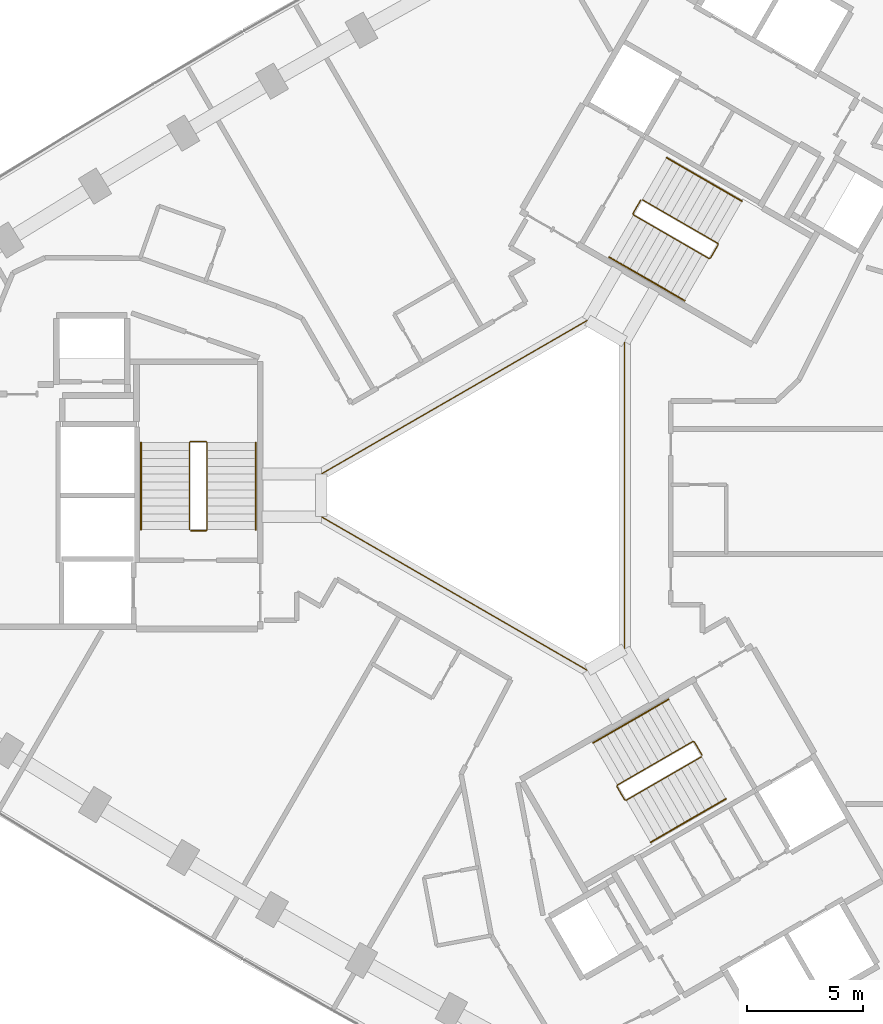
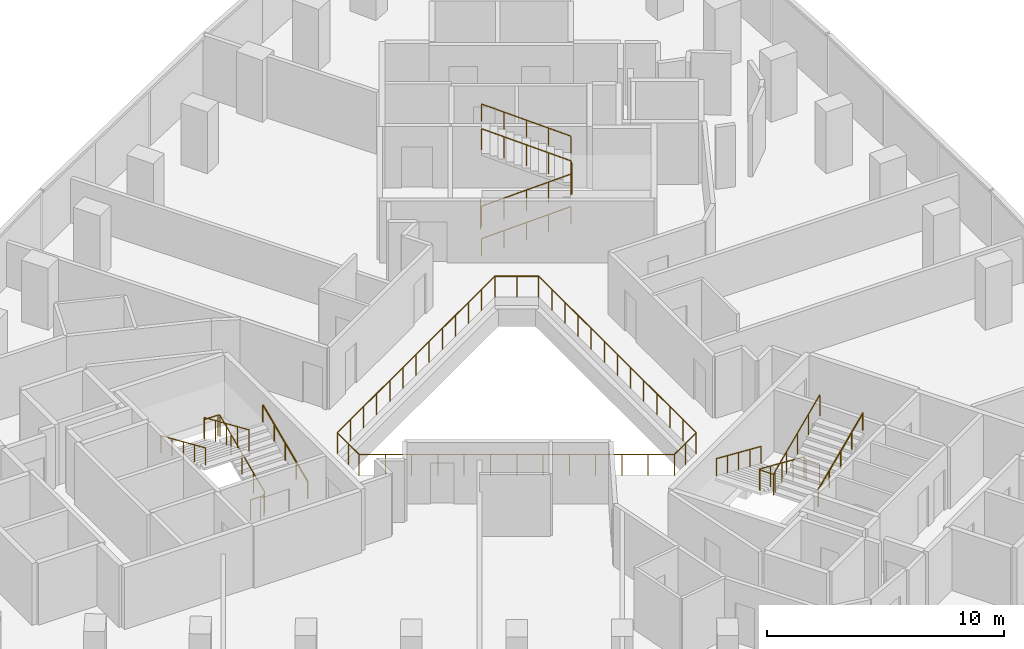
# One storey, part 12 of 12: 10 railings.
"""IFC4 building model written with IfcOpenShell, lengths in metres."""

from ifc_helpers import new_model, si_unit, direction, frame, origin, origin_2d, place, context, subcontext, project, spatial, circle, extrude, material, type_object, element, save


model = new_model("IFC4")

# Units and contexts
model_context = context("Model", 3, precision=1e-05, world=origin(), true_north=direction((0.0, 1.0)))
body_context = subcontext(model_context, "Body", "Model", "MODEL_VIEW")
ifc_project = project(units=[si_unit("LENGTHUNIT", "METRE"), si_unit("AREAUNIT", "SQUARE_METRE"), si_unit("VOLUMEUNIT", "CUBIC_METRE"), si_unit("PLANEANGLEUNIT", "RADIAN"), si_unit("MASSUNIT", "GRAM", prefix="KILO")], contexts=[model_context])

# Site, building, storey
site_placement = place(None, origin())
site = spatial("IfcSite", under=ifc_project, at=site_placement, CompositionType="ELEMENT")
building_placement = place(site_placement, origin())
building = spatial("IfcBuilding", under=site, at=building_placement, Name="Tamra Quay Hotel Tower", CompositionType="ELEMENT")
storey_placement = place(building_placement, frame((0.0, 0.0, 93.800048828125)))
storey = spatial("IfcBuildingStorey", under=building, at=storey_placement, Name="L22", CompositionType="ELEMENT", Elevation=93.800048828125)

# Railings
ifc_material_1 = material(Name="Guard atrium edge 1100")
railing_type_1 = type_object("IfcRailingType", Name="Guard atrium edge 1100", PredefinedType="GUARDRAIL", material=ifc_material_1)
railing_1_placement = place(storey_placement, frame((4.89990234375, -6.639892578125, 0.0)))
element("IfcRailing", 1, at=railing_1_placement, inside=storey, type_object=railing_type_1, Name="G-A", PredefinedType="GUARDRAIL", context=body_context, shape_type="SweptSolid", body=[
    extrude(circle(Radius=0.02392578125, at=origin_2d()), frame((0.0, 0.0, 1.076171875), z_axis=(-0.866161379324, -0.499764409465, 0.0), x_axis=(0.499764409465, -0.866161379324, 0.0)), (0.0, 0.0, 1.0), 1.84716796875),
    extrude(circle(Radius=0.02392578125, at=origin_2d()), frame((-1.599853515625, -0.923095703125, 1.076171875), z_axis=(-0.866045362687, 0.499965428574, 0.0), x_axis=(-0.499965428574, -0.866045362687, 0.0)), (0.0, 0.0, 1.0), 13.27880859375),
    extrude(circle(Radius=0.02392578125, at=origin_2d()), frame((-13.099853515625, 5.7158203125, 1.076171875), z_axis=(0.0, 1.0, 0.0), x_axis=(-1.0, 0.0, 0.0)), (0.0, 0.0, 1.0), 1.84814453125),
    extrude(circle(Radius=0.02392578125, at=origin_2d()), frame((-13.099853515625, 7.56396484375, 1.076171875), z_axis=(0.866045362687, 0.499965428574, 0.0), x_axis=(-0.499965428574, 0.866045362687, 0.0)), (0.0, 0.0, 1.0), 13.27880859375),
    extrude(circle(Radius=0.02392578125, at=origin_2d()), frame((-1.599853515625, 14.202880859375, 1.076171875), z_axis=(0.866161379324, -0.499764409465, 0.0), x_axis=(0.499764409465, 0.866161379324, 0.0)), (0.0, 0.0, 1.0), 1.84716796875),
    extrude(circle(Radius=0.02392578125, at=origin_2d()), frame((0.0, 13.27978515625, 1.076171875), z_axis=(0.0, -1.0, 0.0), x_axis=(1.0, 0.0, 0.0)), (0.0, 0.0, 1.0), 13.27978515625),
    extrude(circle(Radius=0.02099609375, at=origin_2d()), origin(), (0.0, 0.0, 1.0), 1.052001953125),
    extrude(circle(Radius=0.02099609375, at=origin_2d()), frame((-0.7998046875, -0.46142578125, 0.0)), (0.0, 0.0, 1.0), 1.052001953125),
    extrude(circle(Radius=0.02099609375, at=origin_2d()), frame((-1.599853515625, -0.923095703125, 0.0)), (0.0, 0.0, 1.0), 1.052001953125),
    extrude(circle(Radius=0.02099609375, at=origin_2d()), frame((-2.55810546875, -0.369873046875, 0.0)), (0.0, 0.0, 1.0), 1.052001953125),
    extrude(circle(Radius=0.02099609375, at=origin_2d()), frame((-3.5166015625, 0.183349609375, 0.0)), (0.0, 0.0, 1.0), 1.052001953125),
    extrude(circle(Radius=0.02099609375, at=origin_2d()), frame((-4.474853515625, 0.736572265625, 0.0)), (0.0, 0.0, 1.0), 1.052001953125),
    extrude(circle(Radius=0.02099609375, at=origin_2d()), frame((-5.43310546875, 1.289794921875, 0.0)), (0.0, 0.0, 1.0), 1.052001953125),
    extrude(circle(Radius=0.02099609375, at=origin_2d()), frame((-6.3916015625, 1.843017578125, 0.0)), (0.0, 0.0, 1.0), 1.052001953125),
    extrude(circle(Radius=0.02099609375, at=origin_2d()), frame((-7.349853515625, 2.396484375, 0.0)), (0.0, 0.0, 1.0), 1.052001953125),
    extrude(circle(Radius=0.02099609375, at=origin_2d()), frame((-8.30810546875, 2.94970703125, 0.0)), (0.0, 0.0, 1.0), 1.052001953125),
    extrude(circle(Radius=0.02099609375, at=origin_2d()), frame((-9.2666015625, 3.5029296875, 0.0)), (0.0, 0.0, 1.0), 1.052001953125),
    extrude(circle(Radius=0.02099609375, at=origin_2d()), frame((-10.224853515625, 4.05615234375, 0.0)), (0.0, 0.0, 1.0), 1.052001953125),
    extrude(circle(Radius=0.02099609375, at=origin_2d()), frame((-11.18310546875, 4.609375, 0.0)), (0.0, 0.0, 1.0), 1.052001953125),
    extrude(circle(Radius=0.02099609375, at=origin_2d()), frame((-12.1416015625, 5.16259765625, 0.0)), (0.0, 0.0, 1.0), 1.052001953125),
    extrude(circle(Radius=0.02099609375, at=origin_2d()), frame((-13.099853515625, 5.7158203125, 0.0)), (0.0, 0.0, 1.0), 1.052001953125),
    extrude(circle(Radius=0.02099609375, at=origin_2d()), frame((-13.099853515625, 6.639892578125, 0.0)), (0.0, 0.0, 1.0), 1.052001953125),
    extrude(circle(Radius=0.02099609375, at=origin_2d()), frame((-13.099853515625, 7.56396484375, 0.0)), (0.0, 0.0, 1.0), 1.052001953125),
    extrude(circle(Radius=0.02099609375, at=origin_2d()), frame((-12.1416015625, 8.1171875, 0.0)), (0.0, 0.0, 1.0), 1.052001953125),
    extrude(circle(Radius=0.02099609375, at=origin_2d()), frame((-11.18310546875, 8.67041015625, 0.0)), (0.0, 0.0, 1.0), 1.052001953125),
    extrude(circle(Radius=0.02099609375, at=origin_2d()), frame((-10.224853515625, 9.2236328125, 0.0)), (0.0, 0.0, 1.0), 1.052001953125),
    extrude(circle(Radius=0.02099609375, at=origin_2d()), frame((-9.2666015625, 9.77685546875, 0.0)), (0.0, 0.0, 1.0), 1.052001953125),
    extrude(circle(Radius=0.02099609375, at=origin_2d()), frame((-8.30810546875, 10.330078125, 0.0)), (0.0, 0.0, 1.0), 1.052001953125),
    extrude(circle(Radius=0.02099609375, at=origin_2d()), frame((-7.349853515625, 10.88330078125, 0.0)), (0.0, 0.0, 1.0), 1.052001953125),
    extrude(circle(Radius=0.02099609375, at=origin_2d()), frame((-6.3916015625, 11.436767578125, 0.0)), (0.0, 0.0, 1.0), 1.052001953125),
    extrude(circle(Radius=0.02099609375, at=origin_2d()), frame((-5.43310546875, 11.989990234375, 0.0)), (0.0, 0.0, 1.0), 1.052001953125),
    extrude(circle(Radius=0.02099609375, at=origin_2d()), frame((-4.474853515625, 12.543212890625, 0.0)), (0.0, 0.0, 1.0), 1.052001953125),
    extrude(circle(Radius=0.02099609375, at=origin_2d()), frame((-3.5166015625, 13.096435546875, 0.0)), (0.0, 0.0, 1.0), 1.052001953125),
    extrude(circle(Radius=0.02099609375, at=origin_2d()), frame((-2.55810546875, 13.649658203125, 0.0)), (0.0, 0.0, 1.0), 1.052001953125),
    extrude(circle(Radius=0.02099609375, at=origin_2d()), frame((-1.599853515625, 14.202880859375, 0.0)), (0.0, 0.0, 1.0), 1.052001953125),
    extrude(circle(Radius=0.02099609375, at=origin_2d()), frame((-0.7998046875, 13.7412109375, 0.0)), (0.0, 0.0, 1.0), 1.052001953125),
    extrude(circle(Radius=0.02099609375, at=origin_2d()), frame((0.0, 13.27978515625, 0.0)), (0.0, 0.0, 1.0), 1.052001953125),
    extrude(circle(Radius=0.02099609375, at=origin_2d()), frame((0.0, 12.173095703125, 0.0)), (0.0, 0.0, 1.0), 1.052001953125),
    extrude(circle(Radius=0.02099609375, at=origin_2d()), frame((0.0, 11.06640625, 0.0)), (0.0, 0.0, 1.0), 1.052001953125),
    extrude(circle(Radius=0.02099609375, at=origin_2d()), frame((0.0, 9.9599609375, 0.0)), (0.0, 0.0, 1.0), 1.052001953125),
    extrude(circle(Radius=0.02099609375, at=origin_2d()), frame((0.0, 8.853271484375, 0.0)), (0.0, 0.0, 1.0), 1.052001953125),
    extrude(circle(Radius=0.02099609375, at=origin_2d()), frame((0.0, 7.74658203125, 0.0)), (0.0, 0.0, 1.0), 1.052001953125),
    extrude(circle(Radius=0.02099609375, at=origin_2d()), frame((0.0, 6.639892578125, 0.0)), (0.0, 0.0, 1.0), 1.052001953125),
    extrude(circle(Radius=0.02099609375, at=origin_2d()), frame((0.0, 5.533203125, 0.0)), (0.0, 0.0, 1.0), 1.052001953125),
    extrude(circle(Radius=0.02099609375, at=origin_2d()), frame((0.0, 4.426513671875, 0.0)), (0.0, 0.0, 1.0), 1.052001953125),
    extrude(circle(Radius=0.02099609375, at=origin_2d()), frame((0.0, 3.31982421875, 0.0)), (0.0, 0.0, 1.0), 1.052001953125),
    extrude(circle(Radius=0.02099609375, at=origin_2d()), frame((0.0, 2.21337890625, 0.0)), (0.0, 0.0, 1.0), 1.052001953125),
    extrude(circle(Radius=0.02099609375, at=origin_2d()), frame((0.0, 1.106689453125, 0.0)), (0.0, 0.0, 1.0), 1.052001953125),
])
ifc_material_2 = material(Name="Stair guard 1100")
railing_type_2 = type_object("IfcRailingType", Name="Stair guard 1100", PredefinedType="GUARDRAIL", material=ifc_material_2)
railing_2_placement = place(storey_placement, frame((-13.84130859375, -1.530029296875, 0.0)))
element("IfcRailing", 2, at=railing_2_placement, inside=storey, type_object=railing_type_2, Name="GR", PredefinedType="GUARDRAIL", context=body_context, shape_type="SweptSolid", body=[
    extrude(circle(Radius=0.02392578125, at=origin_2d()), frame((0.0, 0.0, 1.076171875), z_axis=(1.0, 0.0, 0.0), x_axis=(0.0, 1.0, 0.0)), (0.0, 0.0, 1.0), 0.658935546875),
    extrude(circle(Radius=0.02392578125, at=origin_2d()), frame((0.658935546875, 0.0, 1.076171875), z_axis=(0.301912943143, 0.301912943143, 0.904266083366), x_axis=(-0.707106781187, 0.707106781187, 0.0)), (0.0, 0.0, 1.0), 0.165771484375),
    extrude(circle(Radius=0.02392578125, at=origin_2d()), frame((0.708984375, 0.050048828125, 1.22607421875), z_axis=(0.0, 0.915773634228, 0.401694723457), x_axis=(-1.0, 0.0, 0.0)), (0.0, 0.0, 1.0), 4.10791015625),
    extrude(circle(Radius=0.02392578125, at=origin_2d()), frame((0.708984375, 3.81201171875, 2.8759765625), z_axis=(-0.708833529934, 0.705375805398, 0.0), x_axis=(-0.705375805398, -0.708833529934, 0.0)), (0.0, 0.0, 1.0), 0.070556640625),
    extrude(circle(Radius=0.02392578125, at=origin_2d()), frame((0.658935546875, 3.86181640625, 2.8759765625), z_axis=(-1.0, 0.0, 0.0), x_axis=(0.0, -1.0, 0.0)), (0.0, 0.0, 1.0), 0.658935546875),
    extrude(circle(Radius=0.02392578125, at=origin_2d()), frame((0.0, 3.86181640625, 2.8759765625), z_axis=(-0.302046947789, -0.300573548044, 0.904667443621), x_axis=(0.705375805398, -0.708833529934, 0.0)), (0.0, 0.0, 1.0), 0.165771484375),
    extrude(circle(Radius=0.02392578125, at=origin_2d()), frame((-0.050048828125, 3.81201171875, 3.02587890625), z_axis=(0.0, -0.915795495799, 0.401644880304), x_axis=(1.0, 0.0, 0.0)), (0.0, 0.0, 1.0), 4.10791015625),
    extrude(circle(Radius=0.02099609375, at=origin_2d()), origin(), (0.0, 0.0, 1.0), 1.052001953125),
    extrude(circle(Radius=0.02099609375, at=origin_2d()), frame((0.658935546875, 0.0, 0.0)), (0.0, 0.0, 1.0), 1.052001953125),
    extrude(circle(Radius=0.02099609375, at=origin_2d()), frame((0.708984375, 0.050048828125, 0.14990234375)), (0.0, 0.0, 1.0), 1.052001953125),
    extrude(circle(Radius=0.02099609375, at=origin_2d()), frame((0.708984375, 0.990478515625, 0.5625)), (0.0, 0.0, 1.0), 1.052001953125),
    extrude(circle(Radius=0.02099609375, at=origin_2d()), frame((0.708984375, 1.93115234375, 0.97509765625)), (0.0, 0.0, 1.0), 1.052001953125),
    extrude(circle(Radius=0.02099609375, at=origin_2d()), frame((0.708984375, 2.87158203125, 1.387451171875)), (0.0, 0.0, 1.0), 1.052001953125),
    extrude(circle(Radius=0.02099609375, at=origin_2d()), frame((0.708984375, 3.81201171875, 1.800048828125)), (0.0, 0.0, 1.0), 1.052001953125),
    extrude(circle(Radius=0.02099609375, at=origin_2d()), frame((0.658935546875, 3.86181640625, 1.800048828125)), (0.0, 0.0, 1.0), 1.052001953125),
    extrude(circle(Radius=0.02099609375, at=origin_2d()), frame((0.0, 3.86181640625, 1.800048828125)), (0.0, 0.0, 1.0), 1.052001953125),
    extrude(circle(Radius=0.02099609375, at=origin_2d()), frame((-0.050048828125, 3.81201171875, 1.949951171875)), (0.0, 0.0, 1.0), 1.052001953125),
    extrude(circle(Radius=0.02099609375, at=origin_2d()), frame((-0.050048828125, 2.87158203125, 2.3623046875)), (0.0, 0.0, 1.0), 1.052001953125),
    extrude(circle(Radius=0.02099609375, at=origin_2d()), frame((-0.050048828125, 1.93115234375, 2.77490234375)), (0.0, 0.0, 1.0), 1.052001953125),
    extrude(circle(Radius=0.02099609375, at=origin_2d()), frame((-0.050048828125, 0.990478515625, 3.1875)), (0.0, 0.0, 1.0), 1.052001953125),
    extrude(circle(Radius=0.02099609375, at=origin_2d()), frame((-0.050048828125, 0.050048828125, 3.599853515625)), (0.0, 0.0, 1.0), 1.052001953125),
])
railing_3_placement = place(storey_placement, frame((5.595458984375, 12.751953125, 0.0)))
element("IfcRailing", 3, at=railing_3_placement, inside=storey, type_object=railing_type_2, Name="GR", PredefinedType="GUARDRAIL", context=body_context, shape_type="SweptSolid", body=[
    extrude(circle(Radius=0.02392578125, at=origin_2d()), frame((0.0, 0.0, 1.076171875), z_axis=(-0.499765215335, -0.866160914346, 0.0), x_axis=(0.866160914346, -0.499765215335, 0.0)), (0.0, 0.0, 1.0), 0.658935546875),
    extrude(circle(Radius=0.02392578125, at=origin_2d()), frame((-0.329345703125, -0.57080078125, 1.076171875), z_axis=(0.110525977783, -0.411156637351, 0.904839338113), x_axis=(0.965715946433, 0.259601060869, 0.0)), (0.0, 0.0, 1.0), 0.165771484375),
    extrude(circle(Radius=0.02392578125, at=origin_2d()), frame((-0.31103515625, -0.638916015625, 1.22607421875), z_axis=(0.79305953016, -0.457922937641, 0.401700342053), x_axis=(0.500040788363, 0.866001853331, 0.0)), (0.0, 0.0, 1.0), 4.10791015625),
    extrude(circle(Radius=0.02392578125, at=origin_2d()), frame((2.94677734375, -2.52001953125, 2.8759765625), z_axis=(0.965948051503, 0.258736085224, 0.0), x_axis=(-0.258736085224, 0.965948051503, 0.0)), (0.0, 0.0, 1.0), 0.07080078125),
    extrude(circle(Radius=0.02392578125, at=origin_2d()), frame((3.01513671875, -2.501708984375, 2.8759765625), z_axis=(0.500043078269, 0.866000531106, 0.0), x_axis=(-0.866000531106, 0.500043078269, 0.0)), (0.0, 0.0, 1.0), 0.6591796875),
    extrude(circle(Radius=0.02392578125, at=origin_2d()), frame((3.3447265625, -1.930908203125, 2.8759765625), z_axis=(-0.110525977783, 0.411156637351, 0.904839338113), x_axis=(-0.965715946433, -0.259601060869, 0.0)), (0.0, 0.0, 1.0), 0.165771484375),
    extrude(circle(Radius=0.02392578125, at=origin_2d()), frame((3.326416015625, -1.86279296875, 3.02587890625), z_axis=(-0.793100512587, 0.457912285461, 0.401631567183), x_axis=(-0.500012686397, -0.866018079166, 0.0)), (0.0, 0.0, 1.0), 4.10791015625),
    extrude(circle(Radius=0.02099609375, at=origin_2d()), origin(), (0.0, 0.0, 1.0), 1.052001953125),
    extrude(circle(Radius=0.02099609375, at=origin_2d()), frame((-0.329345703125, -0.57080078125, 0.0)), (0.0, 0.0, 1.0), 1.052001953125),
    extrude(circle(Radius=0.02099609375, at=origin_2d()), frame((-0.31103515625, -0.638916015625, 0.14990234375)), (0.0, 0.0, 1.0), 1.052001953125),
    extrude(circle(Radius=0.02099609375, at=origin_2d()), frame((0.50341796875, -1.109130859375, 0.5625)), (0.0, 0.0, 1.0), 1.052001953125),
    extrude(circle(Radius=0.02099609375, at=origin_2d()), frame((1.31787109375, -1.57958984375, 0.97509765625)), (0.0, 0.0, 1.0), 1.052001953125),
    extrude(circle(Radius=0.02099609375, at=origin_2d()), frame((2.13232421875, -2.0498046875, 1.387451171875)), (0.0, 0.0, 1.0), 1.052001953125),
    extrude(circle(Radius=0.02099609375, at=origin_2d()), frame((2.94677734375, -2.52001953125, 1.800048828125)), (0.0, 0.0, 1.0), 1.052001953125),
    extrude(circle(Radius=0.02099609375, at=origin_2d()), frame((3.01513671875, -2.501708984375, 1.800048828125)), (0.0, 0.0, 1.0), 1.052001953125),
    extrude(circle(Radius=0.02099609375, at=origin_2d()), frame((3.3447265625, -1.930908203125, 1.800048828125)), (0.0, 0.0, 1.0), 1.052001953125),
    extrude(circle(Radius=0.02099609375, at=origin_2d()), frame((3.326416015625, -1.86279296875, 1.949951171875)), (0.0, 0.0, 1.0), 1.052001953125),
    extrude(circle(Radius=0.02099609375, at=origin_2d()), frame((2.511962890625, -1.392578125, 2.3623046875)), (0.0, 0.0, 1.0), 1.052001953125),
    extrude(circle(Radius=0.02099609375, at=origin_2d()), frame((1.697265625, -0.92236328125, 2.77490234375)), (0.0, 0.0, 1.0), 1.052001953125),
    extrude(circle(Radius=0.02099609375, at=origin_2d()), frame((0.8828125, -0.451904296875, 3.1875)), (0.0, 0.0, 1.0), 1.052001953125),
    extrude(circle(Radius=0.02099609375, at=origin_2d()), frame((0.068359375, 0.018310546875, 3.599853515625)), (0.0, 0.0, 1.0), 1.052001953125),
])
railing_4_placement = place(storey_placement, frame((8.245849609375, -11.221923828125, 0.0)))
element("IfcRailing", 4, at=railing_4_placement, inside=storey, type_object=railing_type_2, Name="GR", PredefinedType="GUARDRAIL", context=body_context, shape_type="SweptSolid", body=[
    extrude(circle(Radius=0.02392578125, at=origin_2d()), frame((0.0, 0.0, 1.076171875), z_axis=(-0.500043078269, 0.866000531106, 0.0), x_axis=(-0.866000531106, -0.500043078269, 0.0)), (0.0, 0.0, 1.0), 0.6591796875),
    extrude(circle(Radius=0.02392578125, at=origin_2d()), frame((-0.32958984375, 0.57080078125, 1.076171875), z_axis=(-0.41238007866, 0.110458949641, 0.904290601062), x_axis=(-0.258736085224, -0.965948051503, 0.0)), (0.0, 0.0, 1.0), 0.165771484375),
    extrude(circle(Radius=0.02392578125, at=origin_2d()), frame((-0.39794921875, 0.589111328125, 1.22607421875), z_axis=(-0.793081581205, -0.457901355053, 0.401681409319), x_axis=(0.500012686397, -0.866018079166, 0.0)), (0.0, 0.0, 1.0), 4.108154296875),
    extrude(circle(Radius=0.02392578125, at=origin_2d()), frame((-3.656005859375, -1.2919921875, 2.8759765625), z_axis=(-0.256368644879, -0.966579080015, 0.0), x_axis=(0.966579080015, -0.256368644879, 0.0)), (0.0, 0.0, 1.0), 0.070556640625),
    extrude(circle(Radius=0.02392578125, at=origin_2d()), frame((-3.674072265625, -1.360107421875, 2.8759765625), z_axis=(0.499765215335, -0.866160914346, 0.0), x_axis=(0.866160914346, 0.499765215335, 0.0)), (0.0, 0.0, 1.0), 0.658935546875),
    extrude(circle(Radius=0.02392578125, at=origin_2d()), frame((-3.3447265625, -1.930908203125, 2.8759765625), z_axis=(0.41238007866, -0.110458949641, 0.904290601062), x_axis=(0.258736085224, 0.965948051503, 0.0)), (0.0, 0.0, 1.0), 0.165771484375),
    extrude(circle(Radius=0.02392578125, at=origin_2d()), frame((-3.2763671875, -1.94921875, 3.02587890625), z_axis=(0.793100512587, 0.457912285461, 0.401631567183), x_axis=(-0.500012686397, 0.866018079166, 0.0)), (0.0, 0.0, 1.0), 4.10791015625),
    extrude(circle(Radius=0.02099609375, at=origin_2d()), origin(), (0.0, 0.0, 1.0), 1.052001953125),
    extrude(circle(Radius=0.02099609375, at=origin_2d()), frame((-0.32958984375, 0.57080078125, 0.0)), (0.0, 0.0, 1.0), 1.052001953125),
    extrude(circle(Radius=0.02099609375, at=origin_2d()), frame((-0.39794921875, 0.589111328125, 0.14990234375)), (0.0, 0.0, 1.0), 1.052001953125),
    extrude(circle(Radius=0.02099609375, at=origin_2d()), frame((-1.21240234375, 0.118896484375, 0.5625)), (0.0, 0.0, 1.0), 1.052001953125),
    extrude(circle(Radius=0.02099609375, at=origin_2d()), frame((-2.02685546875, -0.3515625, 0.97509765625)), (0.0, 0.0, 1.0), 1.052001953125),
    extrude(circle(Radius=0.02099609375, at=origin_2d()), frame((-2.841552734375, -0.82177734375, 1.387451171875)), (0.0, 0.0, 1.0), 1.052001953125),
    extrude(circle(Radius=0.02099609375, at=origin_2d()), frame((-3.656005859375, -1.2919921875, 1.800048828125)), (0.0, 0.0, 1.0), 1.052001953125),
    extrude(circle(Radius=0.02099609375, at=origin_2d()), frame((-3.674072265625, -1.360107421875, 1.800048828125)), (0.0, 0.0, 1.0), 1.052001953125),
    extrude(circle(Radius=0.02099609375, at=origin_2d()), frame((-3.3447265625, -1.930908203125, 1.800048828125)), (0.0, 0.0, 1.0), 1.052001953125),
    extrude(circle(Radius=0.02099609375, at=origin_2d()), frame((-3.2763671875, -1.94921875, 1.949951171875)), (0.0, 0.0, 1.0), 1.052001953125),
    extrude(circle(Radius=0.02099609375, at=origin_2d()), frame((-2.4619140625, -1.47900390625, 2.3623046875)), (0.0, 0.0, 1.0), 1.052001953125),
    extrude(circle(Radius=0.02099609375, at=origin_2d()), frame((-1.6474609375, -1.0087890625, 2.77490234375)), (0.0, 0.0, 1.0), 1.052001953125),
    extrude(circle(Radius=0.02099609375, at=origin_2d()), frame((-0.832763671875, -0.538330078125, 3.1875)), (0.0, 0.0, 1.0), 1.052001953125),
    extrude(circle(Radius=0.02099609375, at=origin_2d()), frame((-0.018310546875, -0.068115234375, 3.599853515625)), (0.0, 0.0, 1.0), 1.052001953125),
])
ifc_material_3 = material(Name="Stair handrail 900")
railing_type_3 = type_object("IfcRailingType", Name="Stair handrail 900", PredefinedType="HANDRAIL", material=ifc_material_3)
railing_5_placement = place(storey_placement, frame((-11.0322265625, -1.47998046875, 0.14990234375)))
element("IfcRailing", 5, at=railing_5_placement, inside=storey, type_object=railing_type_3, Name="HR", PredefinedType="HANDRAIL", context=body_context, shape_type="SweptSolid", body=[
    extrude(circle(Radius=0.02392578125, at=origin_2d()), frame((0.0, 0.0, 0.8759765625), z_axis=(0.0, 0.915773634228, 0.401694723457), x_axis=(-1.0, 0.0, 0.0)), (0.0, 0.0, 1.0), 4.10791015625),
    extrude(circle(Radius=0.02099609375, at=origin_2d()), origin(), (0.0, 0.0, 1.0), 0.851806640625),
    extrude(circle(Radius=0.02099609375, at=origin_2d()), frame((0.0, 0.9404296875, 0.41259765625)), (0.0, 0.0, 1.0), 0.851806640625),
    extrude(circle(Radius=0.02099609375, at=origin_2d()), frame((0.0, 1.880859375, 0.8251953125)), (0.0, 0.0, 1.0), 0.851806640625),
    extrude(circle(Radius=0.02099609375, at=origin_2d()), frame((0.0, 2.821533203125, 1.237548828125)), (0.0, 0.0, 1.0), 0.851806640625),
    extrude(circle(Radius=0.02099609375, at=origin_2d()), frame((0.0, 3.761962890625, 1.650146484375)), (0.0, 0.0, 1.0), 0.851806640625),
])
railing_6_placement = place(storey_placement, frame((-15.9912109375, 2.281982421875, 1.949951171875)))
element("IfcRailing", 6, at=railing_6_placement, inside=storey, type_object=railing_type_3, Name="HR", PredefinedType="HANDRAIL", context=body_context, shape_type="SweptSolid", body=[
    extrude(circle(Radius=0.02392578125, at=origin_2d()), frame((0.0, 0.0, 0.8759765625), z_axis=(0.0, -0.915795495799, 0.401644880304), x_axis=(1.0, 0.0, 0.0)), (0.0, 0.0, 1.0), 4.10791015625),
    extrude(circle(Radius=0.02099609375, at=origin_2d()), origin(), (0.0, 0.0, 1.0), 0.851806640625),
    extrude(circle(Radius=0.02099609375, at=origin_2d()), frame((0.0, -0.9404296875, 0.41259765625)), (0.0, 0.0, 1.0), 0.851806640625),
    extrude(circle(Radius=0.02099609375, at=origin_2d()), frame((0.0, -1.880859375, 0.824951171875)), (0.0, 0.0, 1.0), 0.851806640625),
    extrude(circle(Radius=0.02099609375, at=origin_2d()), frame((0.0, -2.821533203125, 1.2373046875)), (0.0, 0.0, 1.0), 0.851806640625),
    extrude(circle(Radius=0.02099609375, at=origin_2d()), frame((0.0, -3.761962890625, 1.64990234375)), (0.0, 0.0, 1.0), 0.851806640625),
])
railing_7_placement = place(storey_placement, frame((4.234375, 10.294189453125, 0.14990234375)))
element("IfcRailing", 7, at=railing_7_placement, inside=storey, type_object=railing_type_3, Name="HR", PredefinedType="HANDRAIL", context=body_context, shape_type="SweptSolid", body=[
    extrude(circle(Radius=0.02392578125, at=origin_2d()), frame((0.0, 0.0, 0.8759765625), z_axis=(0.793103162556, -0.457854384738, 0.401692339881), x_axis=(0.499964013922, 0.86604617936, 0.0)), (0.0, 0.0, 1.0), 4.10791015625),
    extrude(circle(Radius=0.02099609375, at=origin_2d()), origin(), (0.0, 0.0, 1.0), 0.851806640625),
    extrude(circle(Radius=0.02099609375, at=origin_2d()), frame((0.814453125, -0.47021484375, 0.41259765625)), (0.0, 0.0, 1.0), 0.851806640625),
    extrude(circle(Radius=0.02099609375, at=origin_2d()), frame((1.62890625, -0.9404296875, 0.8251953125)), (0.0, 0.0, 1.0), 0.851806640625),
    extrude(circle(Radius=0.02099609375, at=origin_2d()), frame((2.443603515625, -1.41064453125, 1.237548828125)), (0.0, 0.0, 1.0), 0.851806640625),
    extrude(circle(Radius=0.02099609375, at=origin_2d()), frame((3.258056640625, -1.880859375, 1.650146484375)), (0.0, 0.0, 1.0), 0.851806640625),
])
railing_8_placement = place(storey_placement, frame((9.971923828125, 12.7080078125, 1.949951171875)))
element("IfcRailing", 8, at=railing_8_placement, inside=storey, type_object=railing_type_3, Name="HR", PredefinedType="HANDRAIL", context=body_context, shape_type="SweptSolid", body=[
    extrude(circle(Radius=0.02392578125, at=origin_2d()), frame((0.0, 0.0, 0.8759765625), z_axis=(-0.793122095483, 0.45786531462, 0.401642496911), x_axis=(-0.499964013922, -0.86604617936, 0.0)), (0.0, 0.0, 1.0), 4.10791015625),
    extrude(circle(Radius=0.02099609375, at=origin_2d()), origin(), (0.0, 0.0, 1.0), 0.851806640625),
    extrude(circle(Radius=0.02099609375, at=origin_2d()), frame((-0.814453125, 0.47021484375, 0.41259765625)), (0.0, 0.0, 1.0), 0.851806640625),
    extrude(circle(Radius=0.02099609375, at=origin_2d()), frame((-1.62890625, 0.9404296875, 0.824951171875)), (0.0, 0.0, 1.0), 0.851806640625),
    extrude(circle(Radius=0.02099609375, at=origin_2d()), frame((-2.443603515625, 1.41064453125, 1.2373046875)), (0.0, 0.0, 1.0), 0.851806640625),
    extrude(circle(Radius=0.02099609375, at=origin_2d()), frame((-3.258056640625, 1.880859375, 1.64990234375)), (0.0, 0.0, 1.0), 0.851806640625),
])
railing_9_placement = place(storey_placement, frame((6.7978515625, -8.814208984375, 0.14990234375)))
element("IfcRailing", 9, at=railing_9_placement, inside=storey, type_object=railing_type_3, Name="HR", PredefinedType="HANDRAIL", context=body_context, shape_type="SweptSolid", body=[
    extrude(circle(Radius=0.02392578125, at=origin_2d()), frame((0.0, 0.0, 0.8759765625), z_axis=(-0.793081112945, -0.457875966286, 0.40171127416), x_axis=(0.499992114976, -0.866029956157, 0.0)), (0.0, 0.0, 1.0), 4.10791015625),
    extrude(circle(Radius=0.02099609375, at=origin_2d()), origin(), (0.0, 0.0, 1.0), 0.851806640625),
    extrude(circle(Radius=0.02099609375, at=origin_2d()), frame((-0.814453125, -0.47021484375, 0.41259765625)), (0.0, 0.0, 1.0), 0.851806640625),
    extrude(circle(Radius=0.02099609375, at=origin_2d()), frame((-1.62890625, -0.9404296875, 0.8251953125)), (0.0, 0.0, 1.0), 0.851806640625),
    extrude(circle(Radius=0.02099609375, at=origin_2d()), frame((-2.443359375, -1.41064453125, 1.237548828125)), (0.0, 0.0, 1.0), 0.851806640625),
    extrude(circle(Radius=0.02099609375, at=origin_2d()), frame((-3.2578125, -1.880859375, 1.650146484375)), (0.0, 0.0, 1.0), 0.851806640625),
])
railing_10_placement = place(storey_placement, frame((6.01953125, -14.98974609375, 1.949951171875)))
element("IfcRailing", 10, at=railing_10_placement, inside=storey, type_object=railing_type_3, Name="HR", PredefinedType="HANDRAIL", context=body_context, shape_type="SweptSolid", body=[
    extrude(circle(Radius=0.02392578125, at=origin_2d()), frame((0.0, 0.0, 0.8759765625), z_axis=(0.79310004713, 0.457886897714, 0.401661429744), x_axis=(-0.499992114976, 0.866029956157, 0.0)), (0.0, 0.0, 1.0), 4.107666015625),
    extrude(circle(Radius=0.02099609375, at=origin_2d()), origin(), (0.0, 0.0, 1.0), 0.851806640625),
    extrude(circle(Radius=0.02099609375, at=origin_2d()), frame((0.814453125, 0.47021484375, 0.41259765625)), (0.0, 0.0, 1.0), 0.851806640625),
    extrude(circle(Radius=0.02099609375, at=origin_2d()), frame((1.62890625, 0.9404296875, 0.824951171875)), (0.0, 0.0, 1.0), 0.851806640625),
    extrude(circle(Radius=0.02099609375, at=origin_2d()), frame((2.443359375, 1.41064453125, 1.2373046875)), (0.0, 0.0, 1.0), 0.851806640625),
    extrude(circle(Radius=0.02099609375, at=origin_2d()), frame((3.2578125, 1.880859375, 1.64990234375)), (0.0, 0.0, 1.0), 0.851806640625),
])

save(model, "model.ifc")
